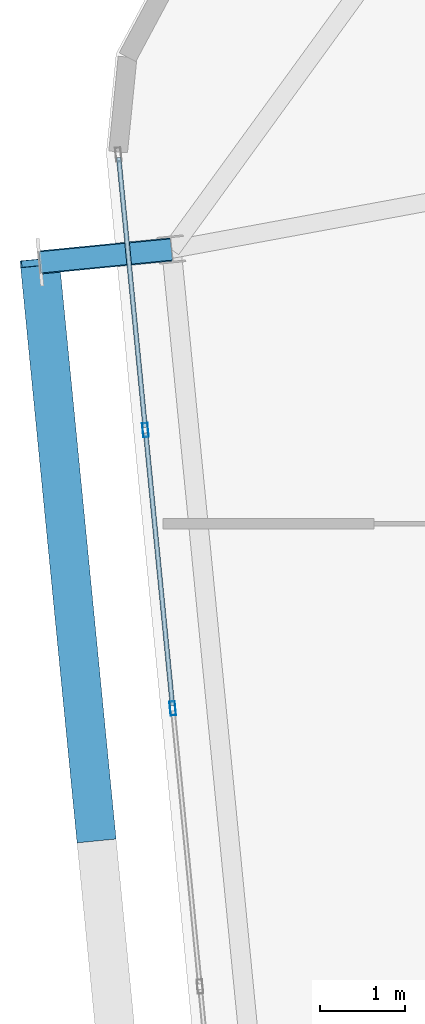
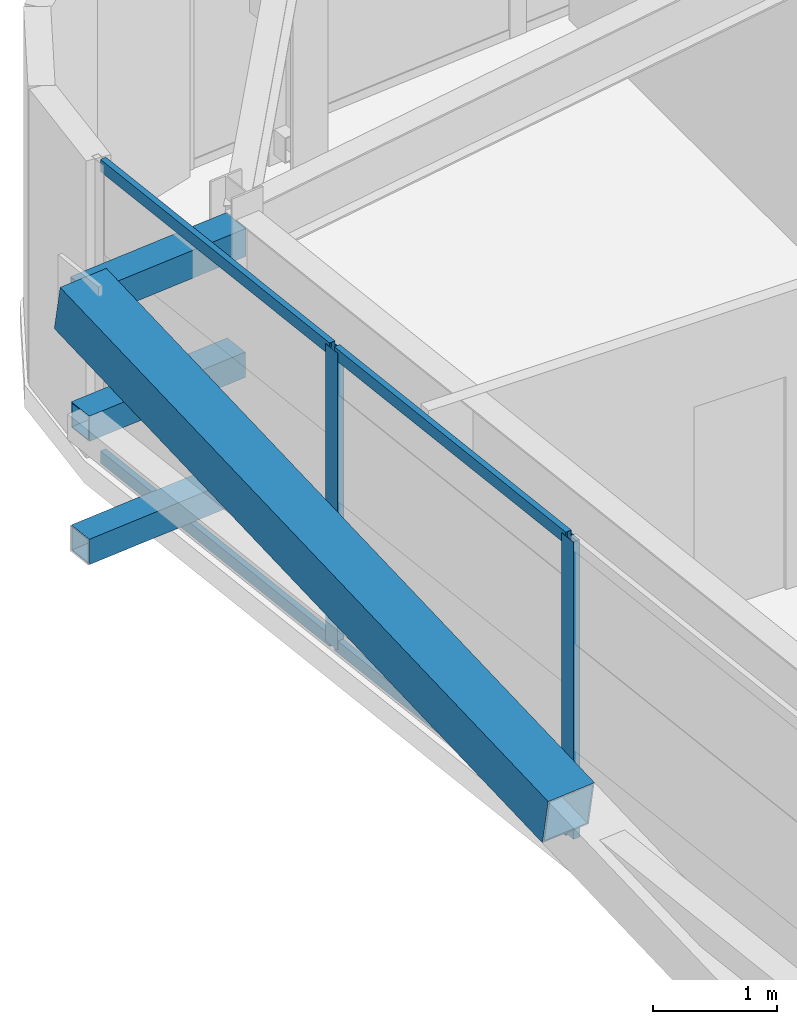
# One storey, part 15 of 54: 10 members, 1 element without a shape of its own.
"""IFC4 building model written with IfcOpenShell, lengths in metres."""

from ifc_helpers import new_model, si_unit, direction, frame, origin, origin_2d, place, context, subcontext, project, spatial, hollow_rectangle, extrude, source, transform, mapped, material, layer, layer_set, material_profile, profile_set, type_object, element, aggregate, save


model = new_model("IFC4")

# Units and contexts
model_context = context("Model", 3, precision=1e-05, world=origin(), true_north=direction((0.0, 1.0)))
body_context = subcontext(model_context, "Body", "Model", "MODEL_VIEW")
ifc_project = project(units=[si_unit("LENGTHUNIT", "METRE"), si_unit("AREAUNIT", "SQUARE_METRE"), si_unit("VOLUMEUNIT", "CUBIC_METRE"), si_unit("PLANEANGLEUNIT", "RADIAN"), si_unit("MASSUNIT", "GRAM", prefix="KILO")], contexts=[model_context])

# Site, building, storey
site_placement = place(None, origin())
site = spatial("IfcSite", under=ifc_project, at=site_placement, CompositionType="ELEMENT")
building_placement = place(site_placement, origin())
building = spatial("IfcBuilding", under=site, at=building_placement, Name="Taldren Reach Tower", CompositionType="ELEMENT")
storey_placement = place(building_placement, frame((0.0, 0.0, 102.89990234375)))
storey = spatial("IfcBuildingStorey", under=building, at=storey_placement, Name="L31", CompositionType="ELEMENT", Elevation=102.89990234375)

# Members
ifc_material_1 = material(Name="Steel Gr 450 (C450L0)", Category="steel")
ifc_material_profile_1 = material_profile(ifc_material_1, hollow_rectangle(XDim=0.27490234375, YDim=0.27490234375, WallThickness=0.00927734375, at=origin_2d()), Name="275x275x9.3SHS")
ifc_profile_set_1 = profile_set([ifc_material_profile_1], Name="Steel Gr 450 (C450L0)")
member_type_1 = type_object("IfcMemberType", Name="MB-TIE273", PredefinedType="STRUT", material=ifc_profile_set_1)
shared_shape_1 = source(origin(), body_context, "Body", "SweptSolid", [
    extrude(hollow_rectangle(XDim=0.27490234375, YDim=0.27490234375, WallThickness=0.00927734375, at=origin_2d()), origin(), (0.0, 0.0, 1.0), 1.550048828125),
])
member_1_placement = place(storey_placement, frame((8.808349609375, 30.116455078125, 2.650146484375), z_axis=(-0.9952210252, -0.097647892962, 0.0), x_axis=(0.097647892962, -0.9952210252, 0.0)))
element("IfcMember", 1, at=member_1_placement, inside=storey, type_object=member_type_1, Name="Exoskeleton diaphragm tie strut B2-W3 L31", PredefinedType="STRUT", context=body_context, shape_type="MappedRepresentation", body=[
    mapped(shared_shape_1, transform((0.0, 0.0, 0.0), scale=1.0)),
])
ifc_material_2 = material(Name="Steel Gr 350 (C350L0)", Category="steel")
ifc_material_profile_2 = material_profile(ifc_material_2, hollow_rectangle(XDim=0.25, YDim=0.25, WallThickness=0.010009765625, at=origin_2d()), Name="250x250x10.0SHS")
ifc_profile_set_2 = profile_set([ifc_material_profile_2], Name="Steel Gr 350 (C350L0)")
member_type_2 = type_object("IfcMemberType", Name="MB-POST250", PredefinedType="POST", material=ifc_profile_set_2)
shared_shape_2 = source(origin(), body_context, "Body", "SweptSolid", [
    extrude(hollow_rectangle(XDim=0.25, YDim=0.25, WallThickness=0.010009765625, at=origin_2d()), origin(), (0.0, 0.0, 1.0), 1.550048828125),
])
for number, where, z_axis, x_axis, name in (
    (2, (8.808349609375, 30.116455078125, 0.22021484375), (-0.9952210252, -0.097647892962, 0.0), (0.097647892962, -0.9952210252, 0.0), "Exoskeleton base diaphragm tie strut B2-W3 L31"),
    (3, (8.808349609375, 30.116455078125, 1.43505859375), (-0.9952210252, -0.097647892962, 0.0), (0.097647892962, -0.9952210252, 0.0), "Exoskeleton mid-tier diaphragm tie B2-W3 L31"),
):
    element("IfcMember", number, at=place(storey_placement, frame(where, z_axis=z_axis, x_axis=x_axis)), inside=storey, type_object=member_type_2, Name=name, PredefinedType="POST", context=body_context, shape_type="MappedRepresentation", body=[
        mapped(shared_shape_2, transform((0.0, 0.0, 0.0), scale=1.0)),
    ])
ifc_material_profile_3 = material_profile(ifc_material_1, hollow_rectangle(XDim=0.4599609375, YDim=0.4599609375, WallThickness=0.01611328125, at=origin_2d()), Name="460x460x16.0SHS")
ifc_profile_set_3 = profile_set([ifc_material_profile_3], Name="Steel Gr 450 (C450L0)")
member_type_3 = type_object("IfcMemberType", Name="MB-EXO457", PredefinedType="BRACE", material=ifc_profile_set_3)
shared_shape_3 = source(origin(), body_context, "Body", "SweptSolid", [
    extrude(hollow_rectangle(XDim=0.4599609375, YDim=0.4599609375, WallThickness=0.01611328125, at=origin_2d()), origin(), (0.0, 0.0, 1.0), 6.883056640625),
])
member_2_placement = place(storey_placement, frame((7.9267578125, 23.222412109375, 1.43505859375), z_axis=(-0.09605145821, 0.97959718347, 0.176531797456), x_axis=(-0.995227290009, -0.097584021339, 0.0)))
element("IfcMember", 4, at=member_2_placement, inside=storey, type_object=member_type_3, Name="Exoskeleton Diagrid Brace B2-W2 L31", PredefinedType="BRACE", context=body_context, shape_type="MappedRepresentation", body=[
    mapped(shared_shape_3, transform((0.0, 0.0, 0.0), scale=1.0)),
])

# Curtain wall, members
ifc_material_3 = material(Name="Aluminium and Low-E Glass Unitised System", Category="aluminium")
ifc_layer = layer(ifc_material_3, 0.159912109375)
ifc_layer_set = layer_set([ifc_layer], Name="Aluminium and Low-E Glass Unitised System")
curtain_wall_type = type_object("IfcCurtainWallType", Name="CW-SYS-3", PredefinedType="NOTDEFINED", material=ifc_layer_set)
curtain_wall_placement = place(storey_placement, origin())
curtain_wall = element("IfcCurtainWall", 5, at=curtain_wall_placement, inside=storey, type_object=curtain_wall_type, Name="Unitised curtain wall CW-L31-W", PredefinedType="NOTDEFINED")
ifc_material_4 = material(Name="Anodised Aluminium 6063-T6", Category="aluminium")
ifc_material_profile_4 = material_profile(ifc_material_4, hollow_rectangle(XDim=0.06494140625, YDim=0.1650390625, WallThickness=0.00390625, at=origin_2d()), Name="ALU-165x65x4RHS")
ifc_profile_set_4 = profile_set([ifc_material_profile_4], Name="Anodised Aluminium 6063-T6")
member_type_4 = type_object("IfcMemberType", Name="CW-MUL-165", PredefinedType="MULLION", material=ifc_profile_set_4)
shared_shape_4 = source(origin(), body_context, "Body", "SweptSolid", [
    extrude(hollow_rectangle(XDim=0.06494140625, YDim=0.1650390625, WallThickness=0.00390625, at=origin_2d()), origin(), (0.0, 0.0, 1.0), 2.93017578125),
])
member_3_placement = place(storey_placement, frame((8.50341796875, 27.998779296875, 0.0), z_axis=(0.0, 0.0, 1.0), x_axis=(0.99522741555, 0.09758274098, 0.0)))
member_3 = element("IfcMember", 6, at=member_3_placement, type_object=member_type_4, Name="CW-3 mullion 2", PredefinedType="MULLION", context=body_context, shape_type="MappedRepresentation", body=[
    mapped(shared_shape_4, transform((0.0, 0.0, 0.0), scale=1.0)),
])
member_4_placement = place(storey_placement, frame((8.8232421875, 24.736572265625, 0.0), z_axis=(0.0, 0.0, 1.0), x_axis=(0.99522741555, 0.09758274098, 0.0)))
member_4 = element("IfcMember", 7, at=member_4_placement, type_object=member_type_4, Name="CW-3 mullion 3", PredefinedType="MULLION", context=body_context, shape_type="MappedRepresentation", body=[
    mapped(shared_shape_4, transform((0.0, 0.0, 0.0), scale=1.0)),
])
ifc_material_profile_5 = material_profile(ifc_material_4, hollow_rectangle(XDim=0.054931640625, YDim=0.1201171875, WallThickness=0.0029296875, at=origin_2d()), Name="ALU-120x55x3RHS")
ifc_profile_set_5 = profile_set([ifc_material_profile_5], Name="Anodised Aluminium 6063-T6")
member_type_5 = type_object("IfcMemberType", Name="CW-TRN-135", PredefinedType="USERDEFINED", material=ifc_profile_set_5)
shared_shape_5 = source(origin(), body_context, "Body", "SweptSolid", [
    extrude(hollow_rectangle(XDim=0.054931640625, YDim=0.1201171875, WallThickness=0.0029296875, at=origin_2d()), origin(), (0.0, 0.0, 1.0), 3.18017578125),
])
member_5_placement = place(storey_placement, frame((8.18994140625, 31.1962890625, 0.027587890625), z_axis=(0.097572914968, -0.995228378949, 0.0), x_axis=(0.995228378949, 0.097572914968, 0.0)))
member_5 = element("IfcMember", 8, at=member_5_placement, type_object=member_type_5, Name="CW-3 transom 1.1", ObjectType="TRANSOM", PredefinedType="USERDEFINED", context=body_context, shape_type="MappedRepresentation", body=[
    mapped(shared_shape_5, transform((0.0, 0.0, 0.0), scale=1.0)),
])
member_6_placement = place(storey_placement, frame((8.18994140625, 31.1962890625, 2.902587890625), z_axis=(0.097572914968, -0.995228378949, 0.0), x_axis=(0.995228378949, 0.097572914968, 0.0)))
member_6 = element("IfcMember", 9, at=member_6_placement, type_object=member_type_5, Name="CW-3 transom 1.2", ObjectType="TRANSOM", PredefinedType="USERDEFINED", context=body_context, shape_type="MappedRepresentation", body=[
    mapped(shared_shape_5, transform((0.0, 0.0, 0.0), scale=1.0)),
])
shared_shape_6 = source(origin(), body_context, "Body", "SweptSolid", [
    extrude(hollow_rectangle(XDim=0.054931640625, YDim=0.1201171875, WallThickness=0.0029296875, at=origin_2d()), origin(), (0.0, 0.0, 1.0), 3.212890625),
])
member_7_placement = place(storey_placement, frame((8.506591796875, 27.966552734375, 0.027587890625), z_axis=(0.097569948235, -0.995228669805, 0.0), x_axis=(0.995228669805, 0.097569948235, 0.0)))
member_7 = element("IfcMember", 10, at=member_7_placement, type_object=member_type_5, Name="CW-3 transom 2.1", ObjectType="TRANSOM", PredefinedType="USERDEFINED", context=body_context, shape_type="MappedRepresentation", body=[
    mapped(shared_shape_6, transform((0.0, 0.0, 0.0), scale=1.0)),
])
member_8_placement = place(storey_placement, frame((8.506591796875, 27.966552734375, 2.902587890625), z_axis=(0.097569948235, -0.995228669805, 0.0), x_axis=(0.995228669805, 0.097569948235, 0.0)))
member_8 = element("IfcMember", 11, at=member_8_placement, type_object=member_type_5, Name="CW-3 transom 2.2", ObjectType="TRANSOM", PredefinedType="USERDEFINED", context=body_context, shape_type="MappedRepresentation", body=[
    mapped(shared_shape_6, transform((0.0, 0.0, 0.0), scale=1.0)),
])
aggregate(curtain_wall, [member_3, member_4, member_5, member_6, member_7, member_8])

save(model, "model.ifc")
